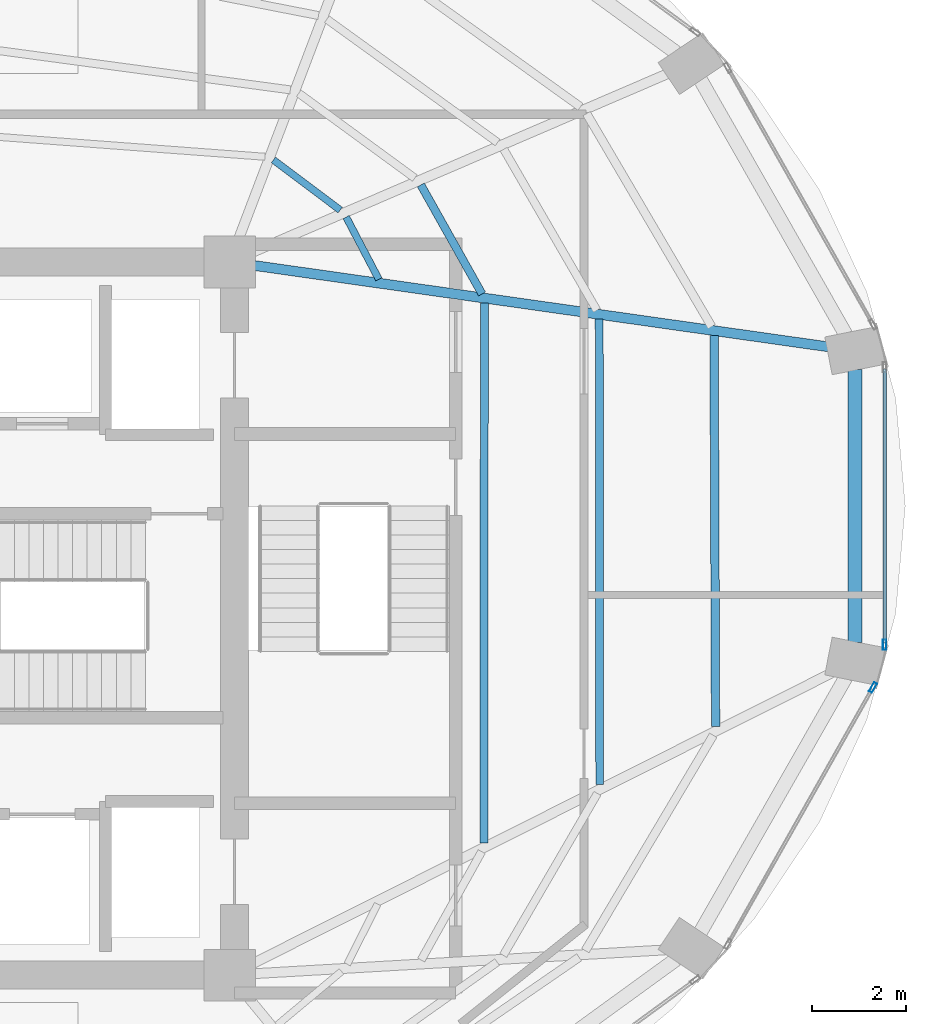
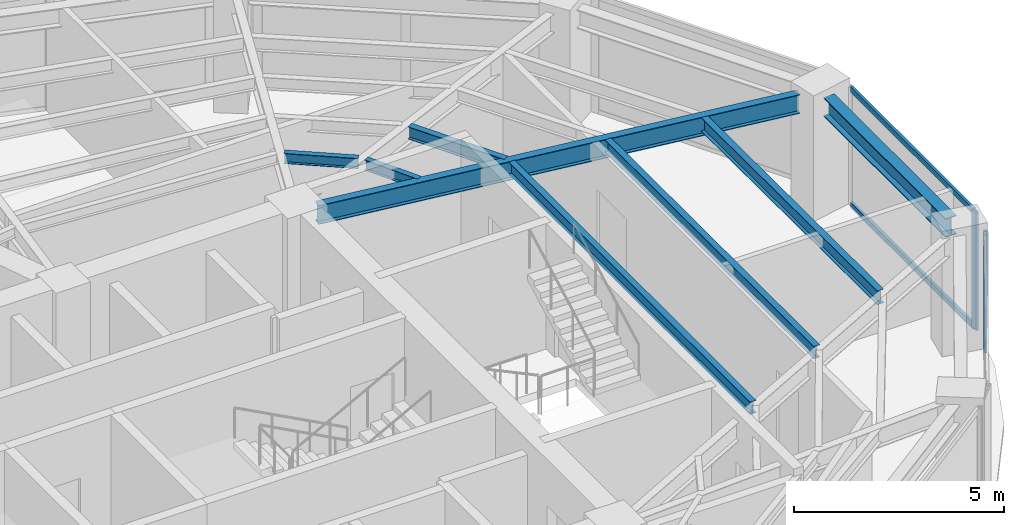
# One storey, part 10 of 20: 8 beams, 4 members, 2 elements without a shape of their own.
"""IFC4 building model written with IfcOpenShell, lengths in metres."""

from ifc_helpers import new_model, si_unit, direction, frame, origin, origin_2d, place, context, subcontext, project, spatial, hollow_rectangle, i_section, extrude, material, layer, layer_set, material_profile, profile_set, type_object, element, aggregate, save


model = new_model("IFC4")

# Units and contexts
model_context = context("Model", 3, precision=1e-05, world=origin(), true_north=direction((0.0, 1.0)))
body_context = subcontext(model_context, "Body", "Model", "MODEL_VIEW")
ifc_project = project(units=[si_unit("LENGTHUNIT", "METRE"), si_unit("AREAUNIT", "SQUARE_METRE"), si_unit("VOLUMEUNIT", "CUBIC_METRE"), si_unit("PLANEANGLEUNIT", "RADIAN"), si_unit("MASSUNIT", "GRAM", prefix="KILO")], contexts=[model_context])

# Site, building, storey
site_placement = place(None, origin())
site = spatial("IfcSite", under=ifc_project, at=site_placement, CompositionType="ELEMENT")
building_placement = place(site_placement, origin())
building = spatial("IfcBuilding", under=site, at=building_placement, Name="Lazwardi Medical Tower", CompositionType="ELEMENT")
storey_placement = place(building_placement, frame((0.0, 0.0, 149.23193359375)))
storey = spatial("IfcBuildingStorey", under=building, at=storey_placement, Name="L38", CompositionType="ELEMENT", Elevation=149.23193359375)

# Beams
ifc_material_1 = material(Name="Steel S355", Category="steel")
ifc_material_profile_1 = material_profile(ifc_material_1, i_section(OverallWidth=0.300048828125, OverallDepth=0.550048828125, WebThickness=0.014892578125, FlangeThickness=0.029052734375, at=origin_2d()), Name="HEB 550")
ifc_profile_set_1 = profile_set([ifc_material_profile_1], Name="Steel S355")
beam_type_1 = type_object("IfcBeamType", Name="BM-RB-Z3", PredefinedType="BEAM", material=ifc_profile_set_1)
beam_1_placement = place(storey_placement, frame((58.92578125, 27.48828125, 3.153076171875), z_axis=(0.0, 1.0, 0.0), x_axis=(-1.0, 0.0, 0.0)))
element("IfcBeam", 1, at=beam_1_placement, inside=storey, type_object=beam_type_1, Name="Ring beam RB-04 B04 L38", PredefinedType="BEAM", context=body_context, shape_type="SweptSolid", body=[
    extrude(i_section(OverallWidth=0.300048828125, OverallDepth=0.550048828125, WebThickness=0.014892578125, FlangeThickness=0.029052734375, at=origin_2d()), origin(), (0.0, 0.0, 1.0), 5.823486328125),
])
ifc_material_profile_2 = material_profile(ifc_material_1, i_section(OverallWidth=0.2099609375, OverallDepth=0.550048828125, WebThickness=0.010986328125, FlangeThickness=0.01708984375, at=origin_2d()), Name="IPE 550")
ifc_profile_set_2 = profile_set([ifc_material_profile_2], Name="Steel S355")
beam_type_2 = type_object("IfcBeamType", Name="BM-RG-W2", PredefinedType="BEAM", material=ifc_profile_set_2)
beam_2_placement = place(storey_placement, frame((58.371337890625, 33.790283203125, 3.153076171875), z_axis=(-0.99010958763, 0.140296131389, 0.0), x_axis=(-0.140296131389, -0.99010958763, 0.0)))
element("IfcBeam", 2, at=beam_2_placement, inside=storey, type_object=beam_type_2, Name="Radial girder RG-03 R05 L38", PredefinedType="BEAM", context=body_context, shape_type="SweptSolid", body=[
    extrude(i_section(OverallWidth=0.2099609375, OverallDepth=0.550048828125, WebThickness=0.010986328125, FlangeThickness=0.01708984375, at=origin_2d()), origin(), (0.0, 0.0, 1.0), 12.364013671875),
])
ifc_material_profile_3 = material_profile(ifc_material_1, i_section(OverallWidth=0.179931640625, OverallDepth=0.39990234375, WebThickness=0.008544921875, FlangeThickness=0.013427734375, at=origin_2d()), Name="IPE 400")
ifc_profile_set_3 = profile_set([ifc_material_profile_3], Name="Steel S355")
beam_type_3 = type_object("IfcBeamType", Name="BM-SJ-01", PredefinedType="JOIST", material=ifc_profile_set_3)
beam_3_placement = place(storey_placement, frame((55.95556640625, 25.69775390625, 3.22802734375), z_axis=(-0.003864366017, 0.99999253331, 0.0), x_axis=(-0.99999253331, -0.003864366017, 0.0)))
element("IfcBeam", 3, at=beam_3_placement, inside=storey, type_object=beam_type_3, Name="Secondary joist SJ-01 R1 B04 L38", PredefinedType="JOIST", context=body_context, shape_type="SweptSolid", body=[
    extrude(i_section(OverallWidth=0.179931640625, OverallDepth=0.39990234375, WebThickness=0.008544921875, FlangeThickness=0.013427734375, at=origin_2d()), origin(), (0.0, 0.0, 1.0), 8.33935546875),
])
ifc_material_profile_4 = material_profile(ifc_material_1, i_section(OverallWidth=0.169921875, OverallDepth=0.360107421875, WebThickness=0.008056640625, FlangeThickness=0.0126953125, at=origin_2d()), Name="IPE 360")
ifc_profile_set_4 = profile_set([ifc_material_profile_4], Name="Steel S355")
beam_type_4 = type_object("IfcBeamType", Name="BM-SJ-02", PredefinedType="JOIST", material=ifc_profile_set_4)
beam_4_placement = place(storey_placement, frame((53.486328125, 24.458251953125, 3.248046875), z_axis=(-0.001156040156, 0.999999331785, 0.0), x_axis=(-0.999999331785, -0.001156040156, 0.0)))
element("IfcBeam", 4, at=beam_4_placement, inside=storey, type_object=beam_type_4, Name="Secondary joist SJ-02 R2 B04 L38", PredefinedType="JOIST", context=body_context, shape_type="SweptSolid", body=[
    extrude(i_section(OverallWidth=0.169921875, OverallDepth=0.360107421875, WebThickness=0.008056640625, FlangeThickness=0.0126953125, at=origin_2d()), origin(), (0.0, 0.0, 1.0), 9.92578125),
])
beam_5_placement = place(storey_placement, frame((51.01708984375, 23.21875, 3.248046875), z_axis=(0.000805852776, 0.999999675301, 0.0), x_axis=(-0.999999675301, 0.000805852776, 0.0)))
element("IfcBeam", 5, at=beam_5_placement, inside=storey, type_object=beam_type_4, Name="Secondary joist SJ-02 R3 B04 L38", PredefinedType="JOIST", context=body_context, shape_type="SweptSolid", body=[
    extrude(i_section(OverallWidth=0.169921875, OverallDepth=0.360107421875, WebThickness=0.008056640625, FlangeThickness=0.0126953125, at=origin_2d()), origin(), (0.0, 0.0, 1.0), 11.512451171875),
])
beam_6_placement = place(storey_placement, frame((50.977294921875, 34.918212890625, 3.248046875), z_axis=(-0.489408945026, 0.872054404569, 0.0), x_axis=(-0.872054404569, -0.489408945026, 0.0)))
element("IfcBeam", 6, at=beam_6_placement, inside=storey, type_object=beam_type_4, Name="Secondary joist SJ-02 R3 B05 L38", PredefinedType="JOIST", context=body_context, shape_type="SweptSolid", body=[
    extrude(i_section(OverallWidth=0.169921875, OverallDepth=0.360107421875, WebThickness=0.008056640625, FlangeThickness=0.0126953125, at=origin_2d()), origin(), (0.0, 0.0, 1.0), 2.666259765625),
])
ifc_material_profile_5 = material_profile(ifc_material_1, i_section(OverallWidth=0.14990234375, OverallDepth=0.300048828125, WebThickness=0.007080078125, FlangeThickness=0.0107421875, at=origin_2d()), Name="IPE 300")
ifc_profile_set_5 = profile_set([ifc_material_profile_5], Name="Steel S355")
beam_type_5 = type_object("IfcBeamType", Name="BM-SJ-03", PredefinedType="JOIST", material=ifc_profile_set_5)
beam_7_placement = place(storey_placement, frame((48.7763671875, 35.231689453125, 3.278076171875), z_axis=(-0.464469748171, 0.885588986513, 0.0), x_axis=(-0.885588986513, -0.464469748171, 0.0)))
element("IfcBeam", 7, at=beam_7_placement, inside=storey, type_object=beam_type_5, Name="Secondary joist SJ-03 R4 B05 L38", PredefinedType="JOIST", context=body_context, shape_type="SweptSolid", body=[
    extrude(i_section(OverallWidth=0.14990234375, OverallDepth=0.300048828125, WebThickness=0.007080078125, FlangeThickness=0.0107421875, at=origin_2d()), origin(), (0.0, 0.0, 1.0), 1.498046875),
])
beam_8_placement = place(storey_placement, frame((47.9541015625, 36.70703125, 3.278076171875), z_axis=(-0.799884834751, 0.600153522972, 0.0), x_axis=(-0.600153522972, -0.799884834751, 0.0)))
element("IfcBeam", 8, at=beam_8_placement, inside=storey, type_object=beam_type_5, Name="Secondary joist SJ-03 R4 B06 L38", PredefinedType="JOIST", context=body_context, shape_type="SweptSolid", body=[
    extrude(i_section(OverallWidth=0.14990234375, OverallDepth=0.300048828125, WebThickness=0.007080078125, FlangeThickness=0.0107421875, at=origin_2d()), origin(), (0.0, 0.0, 1.0), 1.781005859375),
])

# Curtain wall, member
ifc_material_2 = material(Name="Anodised bronze aluminium and solar control glazing", Category="aluminium")
ifc_layer = layer(ifc_material_2, 0.195068359375)
ifc_layer_set = layer_set([ifc_layer], Name="Anodised bronze aluminium and solar control glazing")
curtain_wall_type = type_object("IfcCurtainWallType", Name="CW-SYS-03", PredefinedType="NOTDEFINED", material=ifc_layer_set)
curtain_wall_1_placement = place(storey_placement, origin())
curtain_wall_1 = element("IfcCurtainWall", 9, at=curtain_wall_1_placement, inside=storey, type_object=curtain_wall_type, Name="L38 Unitised bronze curtain wall CW-03", PredefinedType="NOTDEFINED")
ifc_material_3 = material(Name="Anodised bronze aluminium", Category="aluminium")
ifc_material_profile_6 = material_profile(ifc_material_3, hollow_rectangle(XDim=0.074951171875, YDim=0.219970703125, WallThickness=0.00390625, at=origin_2d()), Name="ALU-MULLION 220x75x4")
ifc_profile_set_6 = profile_set([ifc_material_profile_6], Name="Anodised bronze aluminium")
member_type_1 = type_object("IfcMemberType", Name="CW-MUL-01", PredefinedType="MULLION", material=ifc_profile_set_6)
member_1_placement = place(storey_placement, frame((59.31103515625, 26.53271484375, 0.0), z_axis=(0.0, 0.0, 1.0), x_axis=(-0.870418989303, 0.492311672683, 0.0)))
member_1 = element("IfcMember", 10, at=member_1_placement, type_object=member_type_1, Name="CW-03 mullion 2", PredefinedType="MULLION", context=body_context, shape_type="SweptSolid", body=[
    extrude(hollow_rectangle(XDim=0.074951171875, YDim=0.219970703125, WallThickness=0.00390625, at=origin_2d()), origin(), (0.0, 0.0, 1.0), 3.427978515625),
])
aggregate(curtain_wall_1, [member_1])

# Curtain wall, members
curtain_wall_2_placement = place(storey_placement, origin())
curtain_wall_2 = element("IfcCurtainWall", 11, at=curtain_wall_2_placement, inside=storey, type_object=curtain_wall_type, Name="L38 Unitised bronze curtain wall CW-03", PredefinedType="NOTDEFINED")
member_2_placement = place(storey_placement, frame((59.5576171875, 27.442138671875, 0.0), z_axis=(0.0, 0.0, 1.0), x_axis=(-1.0, 0.0, 0.0)))
member_2 = element("IfcMember", 12, at=member_2_placement, type_object=member_type_1, Name="CW-03 mullion 1", PredefinedType="MULLION", context=body_context, shape_type="SweptSolid", body=[
    extrude(hollow_rectangle(XDim=0.074951171875, YDim=0.219970703125, WallThickness=0.00390625, at=origin_2d()), origin(), (0.0, 0.0, 1.0), 3.427978515625),
])
ifc_material_profile_7 = material_profile(ifc_material_3, hollow_rectangle(XDim=0.074951171875, YDim=0.159912109375, WallThickness=0.00390625, at=origin_2d()), Name="ALU-TRANSOM 160x75x4")
ifc_profile_set_7 = profile_set([ifc_material_profile_7], Name="Anodised bronze aluminium")
member_type_2 = type_object("IfcMemberType", Name="CW-TRN-01", PredefinedType="USERDEFINED", material=ifc_profile_set_7)
member_3_placement = place(storey_placement, frame((59.5576171875, 27.4794921875, 0.03759765625), z_axis=(0.0, 1.0, 0.0), x_axis=(-1.0, 0.0, 0.0)))
member_3 = element("IfcMember", 13, at=member_3_placement, type_object=member_type_2, Name="CW-03 transom 1.1", ObjectType="TRANSOM", PredefinedType="USERDEFINED", context=body_context, shape_type="SweptSolid", body=[
    extrude(hollow_rectangle(XDim=0.074951171875, YDim=0.159912109375, WallThickness=0.00390625, at=origin_2d()), origin(), (0.0, 0.0, 1.0), 5.8408203125),
])
member_4_placement = place(storey_placement, frame((59.5576171875, 27.4794921875, 3.390625), z_axis=(0.0, 1.0, 0.0), x_axis=(-1.0, 0.0, 0.0)))
member_4 = element("IfcMember", 14, at=member_4_placement, type_object=member_type_2, Name="CW-03 transom 1.2", ObjectType="TRANSOM", PredefinedType="USERDEFINED", context=body_context, shape_type="SweptSolid", body=[
    extrude(hollow_rectangle(XDim=0.074951171875, YDim=0.159912109375, WallThickness=0.00390625, at=origin_2d()), origin(), (0.0, 0.0, 1.0), 5.8408203125),
])
aggregate(curtain_wall_2, [member_2, member_3, member_4])

save(model, "model.ifc")
